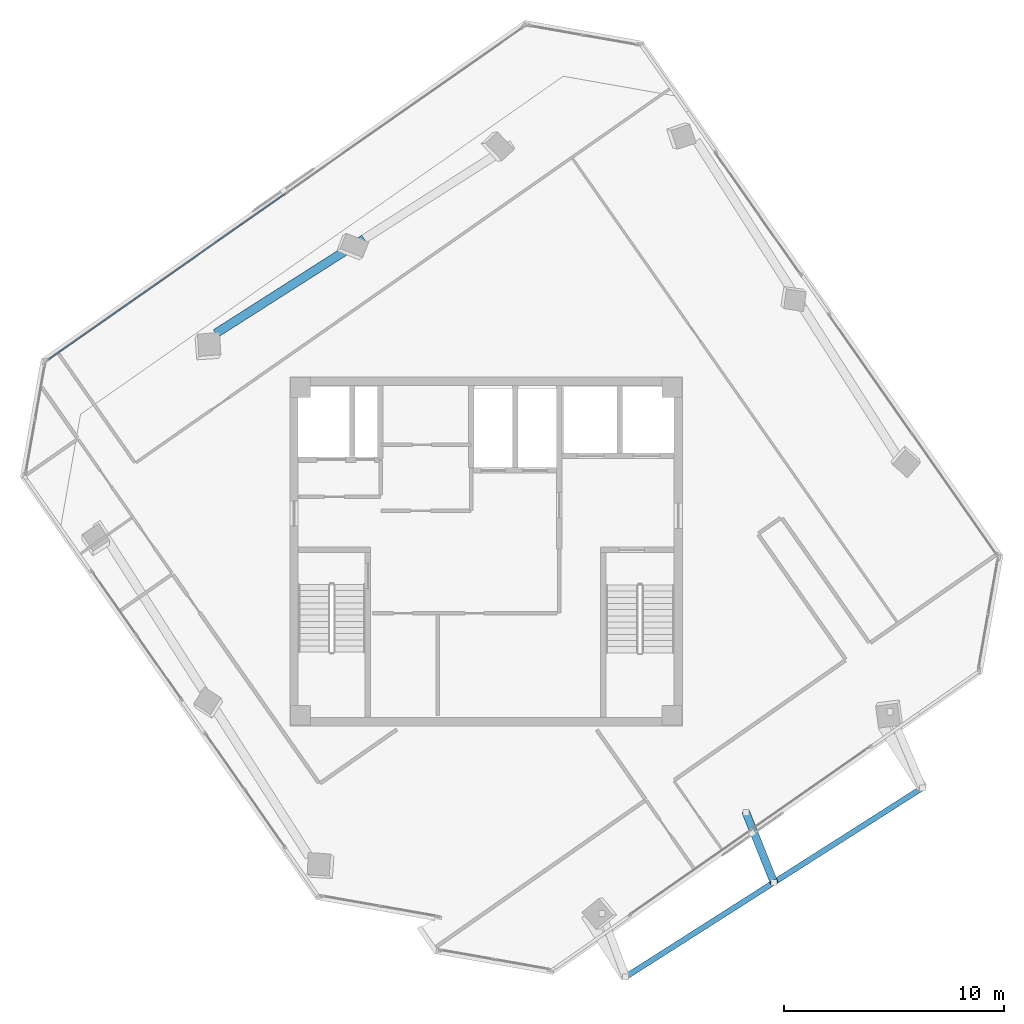
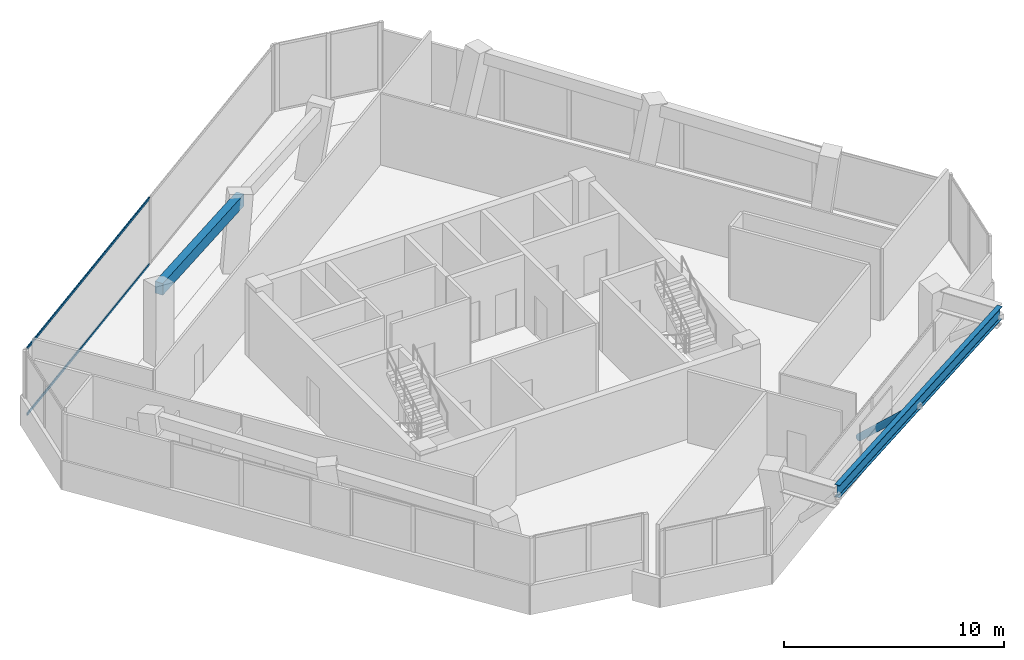
# One storey, part 5 of 15: 3 members, 2 beams, 1 element without a shape of its own.
"""IFC4 building model written with IfcOpenShell, lengths in metres."""

from ifc_helpers import new_model, si_unit, direction, frame, origin, origin_2d, place, context, subcontext, project, spatial, rectangle, hollow_rectangle, hollow_circle, i_section, extrude, source, transform, mapped, material, material_profile, profile_set, type_object, element, aggregate, save


model = new_model("IFC4")

# Units and contexts
model_context = context("Model", 3, precision=1e-05, world=origin(), true_north=direction((0.0, 1.0)))
body_context = subcontext(model_context, "Body", "Model", "MODEL_VIEW")
ifc_project = project(units=[si_unit("LENGTHUNIT", "METRE"), si_unit("AREAUNIT", "SQUARE_METRE"), si_unit("VOLUMEUNIT", "CUBIC_METRE"), si_unit("PLANEANGLEUNIT", "RADIAN"), si_unit("MASSUNIT", "GRAM", prefix="KILO")], contexts=[model_context])

# Site, building, storey
site_placement = place(None, origin())
site = spatial("IfcSite", under=ifc_project, at=site_placement, CompositionType="ELEMENT")
building_placement = place(site_placement, origin())
building = spatial("IfcBuilding", under=site, at=building_placement, Name="Torre Montelarca", CompositionType="ELEMENT")
storey_placement = place(building_placement, frame((0.0, 0.0, 303.0)))
storey = spatial("IfcBuildingStorey", under=building, at=storey_placement, Name="L68", CompositionType="ELEMENT", Elevation=303.0)

# Member
ifc_material_1 = material(Name="Steel ASTM A500 Grade C", Category="steel")
ifc_material_profile_1 = material_profile(ifc_material_1, hollow_circle(Radius=0.177734375, WallThickness=0.015869140625, at=origin_2d()), Name="HSS355.6X15.9", Category="steel")
ifc_profile_set_1 = profile_set([ifc_material_profile_1], Name="Steel ASTM A500 Grade C")
member_type_1 = type_object("IfcMemberType", Name="MB-BR-CHS356-EXT", PredefinedType="BRACE", material=ifc_profile_set_1)
shared_shape_1 = source(origin(), body_context, "Body", "SweptSolid", [
    extrude(hollow_circle(Radius=0.177734375, WallThickness=0.015869140625, at=origin_2d()), origin(), (0.0, 0.0, 1.0), 4.709716796875),
])
member_1_placement = place(storey_placement, frame((29.81689453125, 20.122314453125, 0.14990234375), z_axis=(0.270493921385, -0.674524128987, 0.686913559269), x_axis=(0.928151659611, 0.372202225626, 0.0)))
element("IfcMember", 1, at=member_1_placement, inside=storey, type_object=member_type_1, Name="L69 Sliding Tray Exterior Diagonal Raker Strut E2", PredefinedType="BRACE", context=body_context, shape_type="MappedRepresentation", body=[
    mapped(shared_shape_1, transform((0.0, 0.0, 0.0), scale=1.0)),
])

# Beams
ifc_material_2 = material(Name="Concrete C40/50", Category="concrete")
ifc_material_profile_2 = material_profile(ifc_material_2, rectangle(XDim=0.39990234375, YDim=0.64990234375, at=origin_2d()), Name="RCB400X650", Category="concrete")
ifc_profile_set_2 = profile_set([ifc_material_profile_2], Name="Concrete C40/50")
beam_type_1 = type_object("IfcBeamType", Name="BM-SP-RC650-EXT", PredefinedType="SPANDREL", material=ifc_profile_set_2)
shared_shape_2 = source(origin(), body_context, "Body", "SweptSolid", [
    extrude(rectangle(XDim=0.39990234375, YDim=0.64990234375, at=origin_2d()), origin(), (0.0, 0.0, 1.0), 8.0),
])
beam_1_placement = place(storey_placement, frame((5.699462890625, 41.91259765625, 3.635009765625), z_axis=(0.843378636084, 0.537319715065, 0.0), x_axis=(-0.537319715065, 0.843378636084, 0.0)))
element("IfcBeam", 2, at=beam_1_placement, inside=storey, type_object=beam_type_1, Name="L68 Grid Girder Y 24.0-32.0 at X=4.7", PredefinedType="SPANDREL", context=body_context, shape_type="MappedRepresentation", body=[
    mapped(shared_shape_2, transform((0.0, 0.0, 0.0), scale=1.0)),
])
ifc_material_3 = material(Name="Steel ASTM A992 Grade 50", Category="steel")
ifc_material_profile_3 = material_profile(ifc_material_3, i_section(OverallWidth=0.256103515625, OverallDepth=0.693115234375, WebThickness=0.014404296875, FlangeThickness=0.023681640625, FilletRadius=0.01806640625, at=origin_2d()), Name="W690X170", Category="steel")
ifc_profile_set_3 = profile_set([ifc_material_profile_3], Name="Steel ASTM A992 Grade 50")
beam_type_2 = type_object("IfcBeamType", Name="BM-G-W690-EXT", PredefinedType="BEAM", material=ifc_profile_set_3)
shared_shape_3 = source(origin(), body_context, "Body", "SweptSolid", [
    extrude(i_section(OverallWidth=0.256103515625, OverallDepth=0.693115234375, WebThickness=0.014404296875, FlangeThickness=0.023681640625, FilletRadius=0.01806640625, at=origin_2d()), origin(), (0.0, 0.0, 1.0), 15.999755859375),
])
beam_2_placement = place(storey_placement, frame((24.34375, 12.647216796875, 3.614013671875), z_axis=(0.843392465414, 0.537298007891, 0.0), x_axis=(-0.537298007891, 0.843392465414, 0.0)))
element("IfcBeam", 3, at=beam_2_placement, inside=storey, type_object=beam_type_2, Name="L68 Sliding Tray Edge Girder East 24-40m (FLR)", PredefinedType="BEAM", context=body_context, shape_type="MappedRepresentation", body=[
    mapped(shared_shape_3, transform((0.0, 0.0, 0.0), scale=1.0)),
])

# Curtain wall, members
ifc_material_4 = material(Name="Insulated low-E laminated glass", Category="glass")
curtain_wall_type = type_object("IfcCurtainWallType", Name="CW-SYS-Z4", PredefinedType="USERDEFINED", material=ifc_material_4)
curtain_wall_placement = place(storey_placement, origin())
curtain_wall = element("IfcCurtainWall", 4, at=curtain_wall_placement, inside=storey, type_object=curtain_wall_type, Name="L68 Curtain Wall Run CW-T3-L68-E10-B1", ObjectType="UNITISED GLAZING", PredefinedType="USERDEFINED")
ifc_material_5 = material(Name="Anodised aluminium AA 6063-T6", Category="aluminium")
ifc_material_profile_4 = material_profile(ifc_material_5, hollow_rectangle(XDim=0.06494140625, YDim=0.139892578125, WallThickness=0.00390625, InnerFilletRadius=0.00390625, OuterFilletRadius=0.008056640625, at=origin_2d()), Name="ALU65X140X4", Category="aluminium")
ifc_profile_set_4 = profile_set([ifc_material_profile_4], Name="Anodised aluminium AA 6063-T6")
member_type_2 = type_object("IfcMemberType", Name="CWT-ALU140", PredefinedType="USERDEFINED", material=ifc_profile_set_4)
shared_shape_4 = source(origin(), body_context, "Body", "SweptSolid", [
    extrude(hollow_rectangle(XDim=0.06494140625, YDim=0.139892578125, WallThickness=0.00390625, InnerFilletRadius=0.00390625, OuterFilletRadius=0.008056640625, at=origin_2d()), origin(), (0.0, 0.0, 1.0), 13.121826171875),
])
member_2_placement = place(storey_placement, frame((8.851806640625, 48.2548828125, 0.032470703125), z_axis=(-0.819152370225, -0.573575970866, 0.0), x_axis=(0.573575970866, -0.819152370225, 0.0)))
member_2 = element("IfcMember", 5, at=member_2_placement, type_object=member_type_2, Name="CW transom 2.1", ObjectType="TRANSOM", PredefinedType="USERDEFINED", context=body_context, shape_type="MappedRepresentation", body=[
    mapped(shared_shape_4, transform((0.0, 0.0, 0.0), scale=1.0)),
])
member_3_placement = place(storey_placement, frame((8.851806640625, 48.2548828125, 3.6875), z_axis=(-0.819152370225, -0.573575970866, 0.0), x_axis=(0.573575970866, -0.819152370225, 0.0)))
member_3 = element("IfcMember", 6, at=member_3_placement, type_object=member_type_2, Name="CW transom 2.2", ObjectType="TRANSOM", PredefinedType="USERDEFINED", context=body_context, shape_type="MappedRepresentation", body=[
    mapped(shared_shape_4, transform((0.0, 0.0, 0.0), scale=1.0)),
])
aggregate(curtain_wall, [member_2, member_3])

save(model, "model.ifc")
